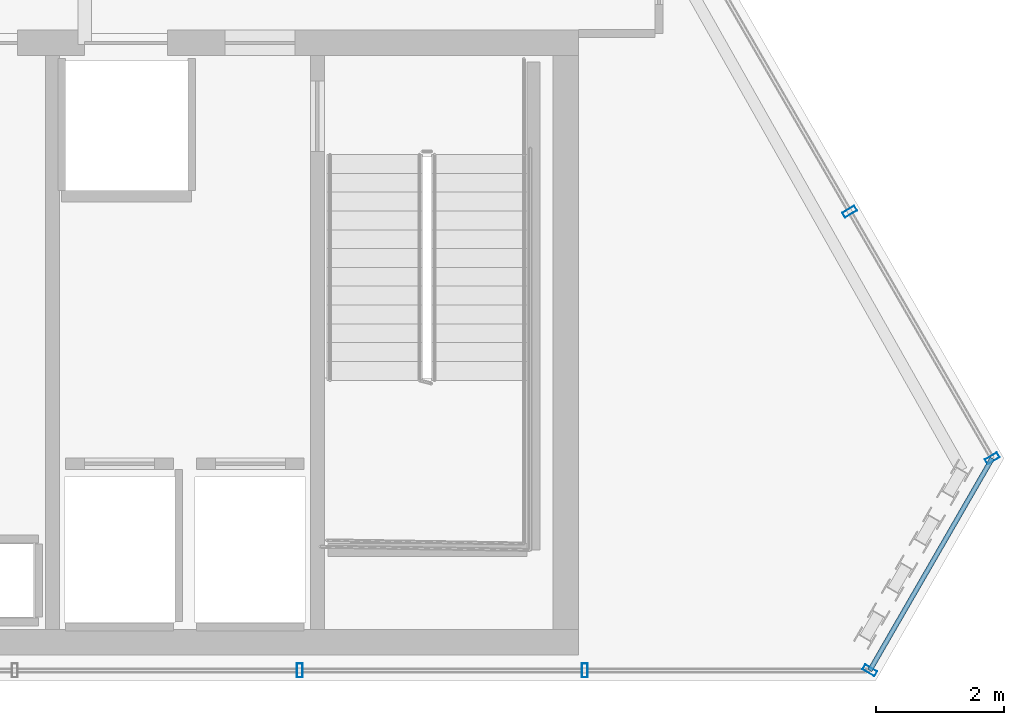
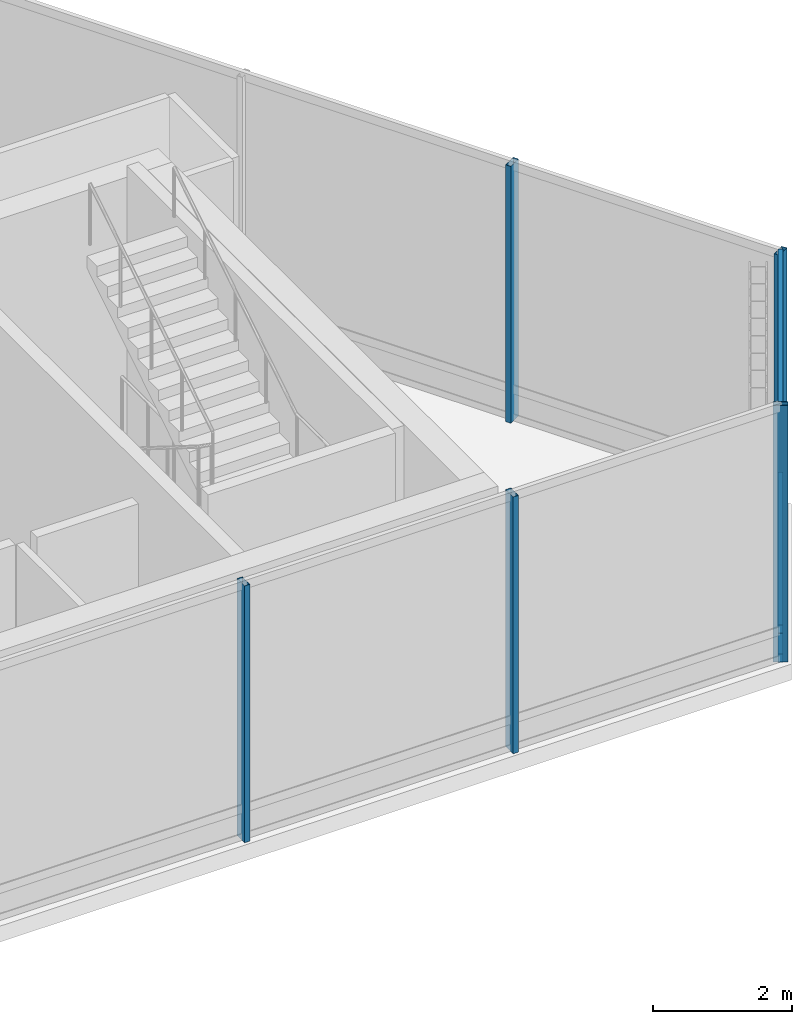
# One storey, part 14 of 25: 8 members, 3 elements without a shape of their own.
"""IFC4 building model written with IfcOpenShell, lengths in metres."""

from ifc_helpers import new_model, si_unit, direction, frame, origin, origin_2d, place, context, subcontext, project, spatial, hollow_rectangle, extrude, material, layer, layer_set, material_profile, profile_set, type_object, element, aggregate, save


model = new_model("IFC4")

# Units and contexts
model_context = context("Model", 3, precision=1e-05, world=origin(), true_north=direction((0.0, 1.0)))
body_context = subcontext(model_context, "Body", "Model", "MODEL_VIEW")
ifc_project = project(units=[si_unit("LENGTHUNIT", "METRE"), si_unit("AREAUNIT", "SQUARE_METRE"), si_unit("VOLUMEUNIT", "CUBIC_METRE"), si_unit("PLANEANGLEUNIT", "RADIAN"), si_unit("MASSUNIT", "GRAM", prefix="KILO")], contexts=[model_context])

# Site, building, storey
site_placement = place(None, origin())
site = spatial("IfcSite", under=ifc_project, at=site_placement, CompositionType="ELEMENT")
building_placement = place(site_placement, origin())
building = spatial("IfcBuilding", under=site, at=building_placement, Name="Ndaravel Arena Tower", CompositionType="ELEMENT")
storey_placement = place(building_placement, frame((0.0, 0.0, 298.5)))
storey = spatial("IfcBuildingStorey", under=building, at=storey_placement, Name="L73", CompositionType="ELEMENT", Elevation=298.5)

# Curtain wall, members
ifc_material_1 = material(Name="Aluminium", Category="aluminium")
ifc_layer = layer(ifc_material_1, 0.179931640625)
ifc_layer_set = layer_set([ifc_layer], Name="Aluminium")
curtain_wall_type = type_object("IfcCurtainWallType", Name="CW-SYS-04", PredefinedType="NOTDEFINED", material=ifc_layer_set)
curtain_wall_1_placement = place(storey_placement, origin())
curtain_wall_1 = element("IfcCurtainWall", 1, at=curtain_wall_1_placement, inside=storey, type_object=curtain_wall_type, Name="L73 Faceted Crystal Curtain Wall CW-L73-E01", PredefinedType="NOTDEFINED")
ifc_material_2 = material(Name="Aluminium", Category="aluminium")
ifc_material_profile_1 = material_profile(ifc_material_2, hollow_rectangle(XDim=0.090087890625, YDim=0.219970703125, WallThickness=0.0048828125, at=origin_2d()), Name="CW MULLION 90x220x5")
ifc_profile_set_1 = profile_set([ifc_material_profile_1], Name="Aluminium")
member_type_1 = type_object("IfcMemberType", Name="MEM-CW-MUL220", PredefinedType="MULLION", material=ifc_profile_set_1)
member_1_placement = place(storey_placement, frame((53.175048828125, 5.159912109375, 0.0), z_axis=(0.0, 0.0, 1.0), x_axis=(1.0, 0.0, 0.0)))
member_1 = element("IfcMember", 2, at=member_1_placement, type_object=member_type_1, Name="CW-L73-E01 Mullion 07", PredefinedType="MULLION", context=body_context, shape_type="SweptSolid", body=[
    extrude(hollow_rectangle(XDim=0.090087890625, YDim=0.219970703125, WallThickness=0.0048828125, at=origin_2d()), origin(), (0.0, 0.0, 1.0), 4.52001953125),
])
member_2_placement = place(storey_placement, frame((57.64501953125, 5.159912109375, 0.0), z_axis=(0.0, 0.0, 1.0), x_axis=(1.0, 0.0, 0.0)))
member_2 = element("IfcMember", 3, at=member_2_placement, type_object=member_type_1, Name="CW-L73-E01 Mullion 08", PredefinedType="MULLION", context=body_context, shape_type="SweptSolid", body=[
    extrude(hollow_rectangle(XDim=0.090087890625, YDim=0.219970703125, WallThickness=0.0048828125, at=origin_2d()), origin(), (0.0, 0.0, 1.0), 4.52001953125),
])
aggregate(curtain_wall_1, [member_1, member_2])

# Curtain wall, member
curtain_wall_2_placement = place(storey_placement, origin())
curtain_wall_2 = element("IfcCurtainWall", 4, at=curtain_wall_2_placement, inside=storey, type_object=curtain_wall_type, Name="L73 Faceted Crystal Curtain Wall CW-L73-E02", PredefinedType="NOTDEFINED")
member_3_placement = place(storey_placement, frame((62.114990234375, 5.159912109375, 0.0), z_axis=(0.0, 0.0, 1.0), x_axis=(0.5, 0.866025403784, 0.0)))
member_3 = element("IfcMember", 5, at=member_3_placement, type_object=member_type_1, Name="CW-L73-E02 Mullion 00", PredefinedType="MULLION", context=body_context, shape_type="SweptSolid", body=[
    extrude(hollow_rectangle(XDim=0.090087890625, YDim=0.219970703125, WallThickness=0.0048828125, at=origin_2d()), origin(), (0.0, 0.0, 1.0), 4.52001953125),
])

# Curtain wall, members
curtain_wall_3_placement = place(storey_placement, origin())
curtain_wall_3 = element("IfcCurtainWall", 6, at=curtain_wall_3_placement, inside=storey, type_object=curtain_wall_type, Name="L73 Faceted Crystal Curtain Wall CW-L73-E03", PredefinedType="NOTDEFINED")
member_4_placement = place(storey_placement, frame((64.034912109375, 8.485107421875, 0.0), z_axis=(0.0, 0.0, 1.0), x_axis=(-0.5, 0.866025403784, 0.0)))
member_4 = element("IfcMember", 7, at=member_4_placement, type_object=member_type_1, Name="CW-L73-E03 Mullion 00", PredefinedType="MULLION", context=body_context, shape_type="SweptSolid", body=[
    extrude(hollow_rectangle(XDim=0.090087890625, YDim=0.219970703125, WallThickness=0.0048828125, at=origin_2d()), origin(), (0.0, 0.0, 1.0), 4.52001953125),
])
member_5_placement = place(storey_placement, frame((61.7998046875, 12.356201171875, 0.0), z_axis=(0.0, 0.0, 1.0), x_axis=(-0.5, 0.866025403784, 0.0)))
member_5 = element("IfcMember", 8, at=member_5_placement, type_object=member_type_1, Name="CW-L73-E03 Mullion 01", PredefinedType="MULLION", context=body_context, shape_type="SweptSolid", body=[
    extrude(hollow_rectangle(XDim=0.090087890625, YDim=0.219970703125, WallThickness=0.0048828125, at=origin_2d()), origin(), (0.0, 0.0, 1.0), 4.52001953125),
])
aggregate(curtain_wall_3, [member_4, member_5])

# Member
ifc_material_3 = material(Name="Aluminium", Category="aluminium")
ifc_material_profile_2 = material_profile(ifc_material_3, hollow_rectangle(XDim=0.074951171875, YDim=0.14990234375, WallThickness=0.00390625, at=origin_2d()), Name="CW TRANSOM 75x150x4")
ifc_profile_set_2 = profile_set([ifc_material_profile_2], Name="Aluminium")
member_type_2 = type_object("IfcMemberType", Name="MEM-CW-TRN150", PredefinedType="USERDEFINED", material=ifc_profile_set_2)
member_6_placement = place(storey_placement, frame((62.114990234375, 5.159912109375, 0.0400390625), z_axis=(0.500023335103, 0.866011930837, 0.0), x_axis=(-0.866011930837, 0.500023335103, 0.0)))
member_6 = element("IfcMember", 9, at=member_6_placement, type_object=member_type_2, Name="CW-L73-E02 Transom 01", ObjectType="TRANSOM", PredefinedType="USERDEFINED", context=body_context, shape_type="SweptSolid", body=[
    extrude(hollow_rectangle(XDim=0.074951171875, YDim=0.14990234375, WallThickness=0.00390625, at=origin_2d()), origin(), (0.0, 0.0, 1.0), 3.839599609375),
])

member_7_placement = place(storey_placement, frame((62.114990234375, 5.159912109375, 0.550048828125), z_axis=(0.500023335103, 0.866011930837, 0.0), x_axis=(-0.866011930837, 0.500023335103, 0.0)))
member_7 = element("IfcMember", 10, at=member_7_placement, type_object=member_type_2, Name="CW-L73-E02 Transom 02", ObjectType="TRANSOM", PredefinedType="USERDEFINED", context=body_context, shape_type="SweptSolid", body=[
    extrude(hollow_rectangle(XDim=0.074951171875, YDim=0.14990234375, WallThickness=0.00390625, at=origin_2d()), origin(), (0.0, 0.0, 1.0), 3.839599609375),
])

member_8_placement = place(storey_placement, frame((62.114990234375, 5.159912109375, 4.47998046875), z_axis=(0.500023335103, 0.866011930837, 0.0), x_axis=(-0.866011930837, 0.500023335103, 0.0)))
member_8 = element("IfcMember", 11, at=member_8_placement, type_object=member_type_2, Name="CW-L73-E02 Transom 03", ObjectType="TRANSOM", PredefinedType="USERDEFINED", context=body_context, shape_type="SweptSolid", body=[
    extrude(hollow_rectangle(XDim=0.074951171875, YDim=0.14990234375, WallThickness=0.00390625, at=origin_2d()), origin(), (0.0, 0.0, 1.0), 3.839599609375),
])

aggregate(curtain_wall_2, [member_3, member_6, member_7, member_8])

save(model, "model.ifc")
